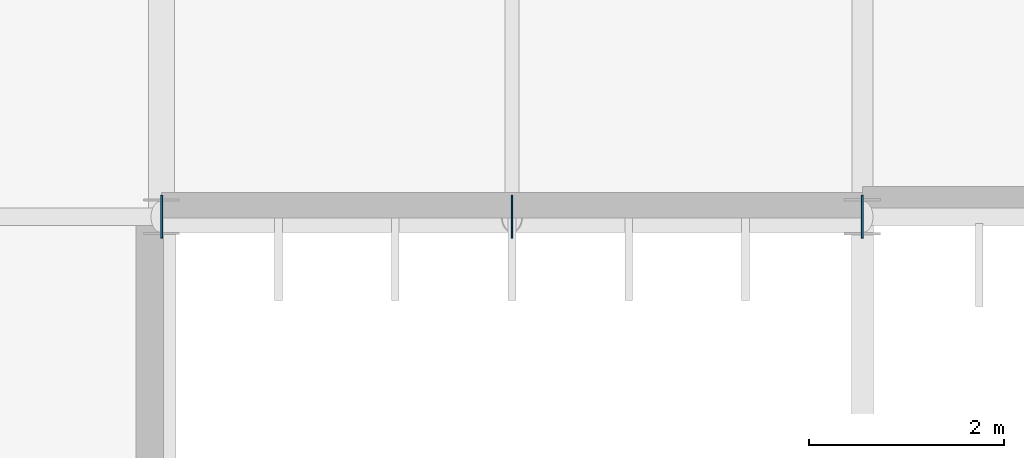
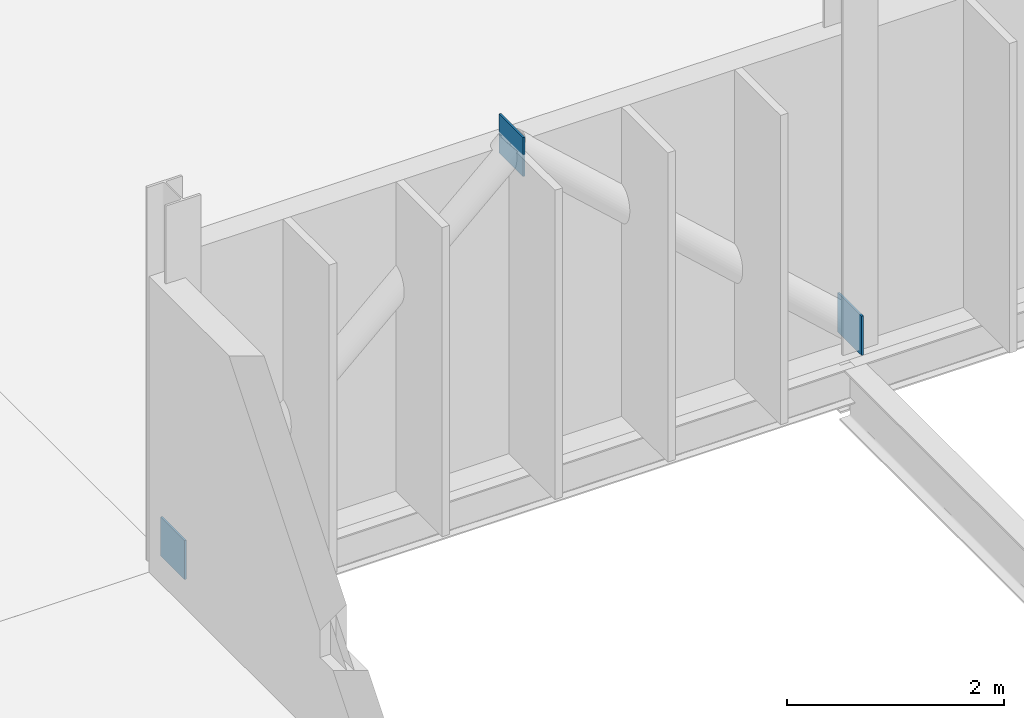
# One storey, part 86 of 119: 3 plates.
"""IFC4 building model written with IfcOpenShell, lengths in metres."""

from ifc_helpers import new_model, si_unit, direction, frame, origin, origin_2d, place, context, subcontext, project, spatial, rectangle, extrude, material, layer, layer_set, type_object, element, save


model = new_model("IFC4")

# Units and contexts
model_context = context("Model", 3, precision=1e-05, world=origin(), true_north=direction((0.0, 1.0)))
body_context = subcontext(model_context, "Body", "Model", "MODEL_VIEW")
ifc_project = project(units=[si_unit("LENGTHUNIT", "METRE"), si_unit("AREAUNIT", "SQUARE_METRE"), si_unit("VOLUMEUNIT", "CUBIC_METRE"), si_unit("PLANEANGLEUNIT", "RADIAN"), si_unit("MASSUNIT", "GRAM", prefix="KILO")], contexts=[model_context])

# Site, building, storey
site_placement = place(None, origin())
site = spatial("IfcSite", under=ifc_project, at=site_placement, CompositionType="ELEMENT")
building_placement = place(site_placement, origin())
building = spatial("IfcBuilding", under=site, at=building_placement, Name="Qelthora Terrace Specialist Clinic", CompositionType="ELEMENT")
storey_placement = place(building_placement, frame((0.0, 0.0, 4.800048828125)))
storey = spatial("IfcBuildingStorey", under=building, at=storey_placement, Name="L01", CompositionType="ELEMENT", Elevation=4.800048828125)

# Plates
ifc_material = material(Name="Steel S355", Category="steel")
ifc_layer = layer(ifc_material, 0.02001953125)
ifc_layer_set = layer_set([ifc_layer], Name="Steel S355")
plate_type = type_object("IfcPlateType", Name="PLT-GUS-480X480X20", PredefinedType="USERDEFINED", material=ifc_layer_set)
for number, where, z_axis, x_axis, name in (
    (1, (93.60009765625, 33.60009765625, -0.0400390625), (0.0, 0.0, 1.0), (1.0, 0.0, 0.0), "Steel truss node plate GPLT-0206"),
    (2, (97.199951171875, 33.60009765625, 3.22998046875), (0.0, 0.0, 1.0), (1.0, 0.0, 0.0), "Steel truss node plate GPLT-0207"),
    (3, (100.800048828125, 33.60009765625, -0.0400390625), (0.0, 0.0, 1.0), (1.0, 0.0, 0.0), "Steel truss node plate GPLT-0208"),
):
    element("IfcPlate", number, at=place(storey_placement, frame(where, z_axis=z_axis, x_axis=x_axis)), inside=storey, type_object=plate_type, Name=name, ObjectType="GUSSET PLATE", PredefinedType="USERDEFINED", context=body_context, shape_type="SweptSolid", body=[
        extrude(rectangle(XDim=0.02001953125, YDim=0.43994140625, at=origin_2d()), origin(), (0.0, 0.0, 1.0), 0.43994140625),
    ])

save(model, "model.ifc")
